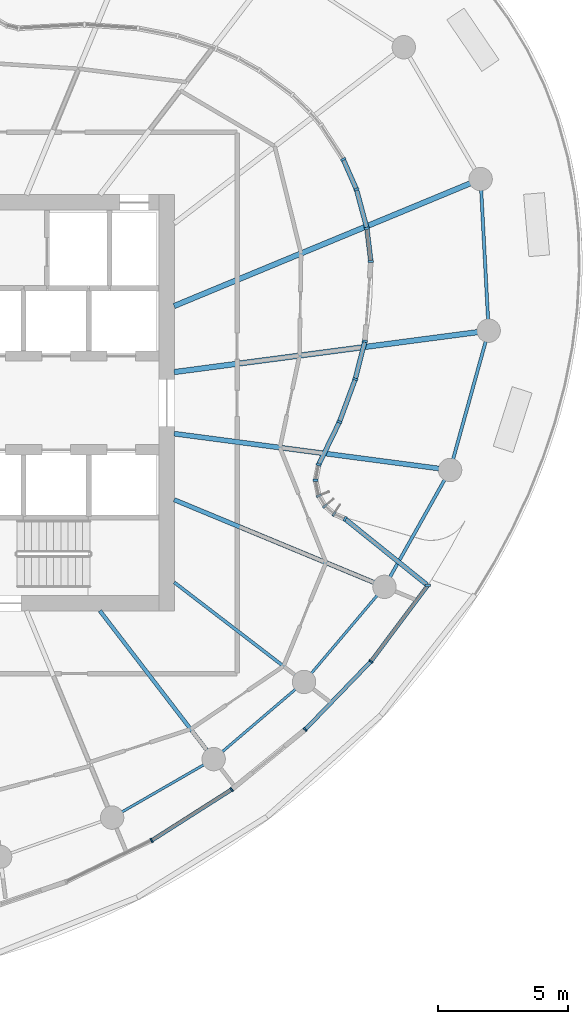
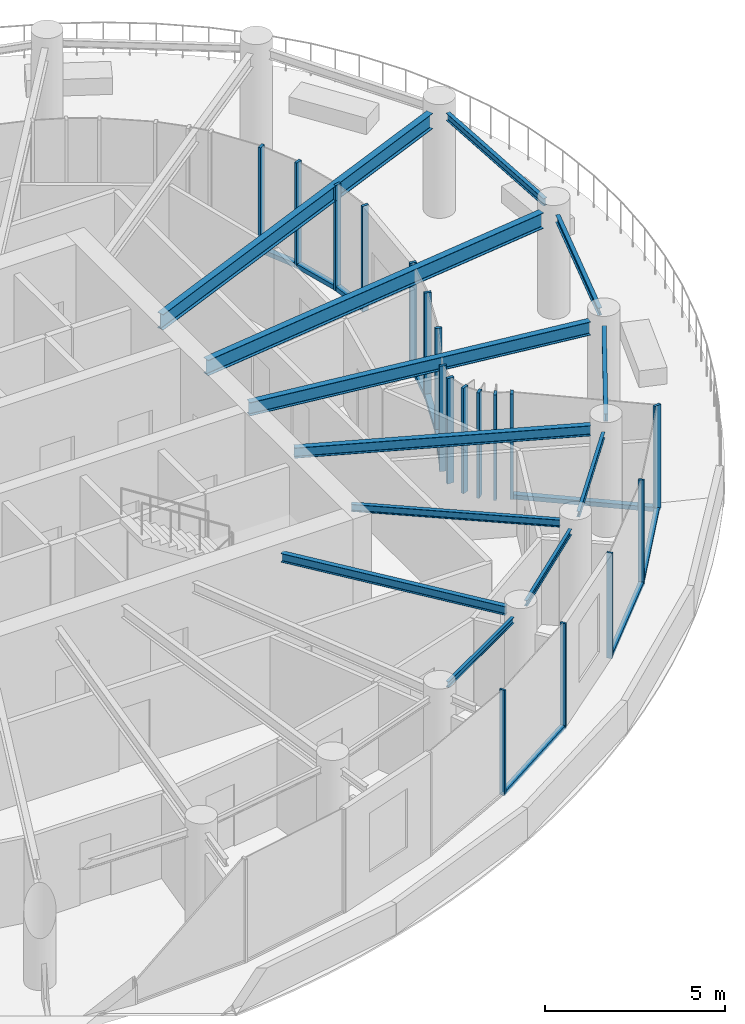
# One storey, part 4 of 19: 28 members, 12 beams, 5 elements without a shape of their own.
"""IFC4 building model written with IfcOpenShell, lengths in metres."""

from ifc_helpers import new_model, si_unit, direction, frame, origin, origin_2d, place, context, subcontext, project, spatial, rectangle, i_section, extrude, source, transform, mapped, material, layer, layer_set, material_profile, profile_set, type_object, element, aggregate, save


model = new_model("IFC4")

# Units and contexts
model_context = context("Model", 3, precision=1e-05, world=origin(), true_north=direction((0.0, 1.0)))
body_context = subcontext(model_context, "Body", "Model", "MODEL_VIEW")
ifc_project = project(units=[si_unit("LENGTHUNIT", "METRE"), si_unit("AREAUNIT", "SQUARE_METRE"), si_unit("VOLUMEUNIT", "CUBIC_METRE"), si_unit("PLANEANGLEUNIT", "RADIAN"), si_unit("MASSUNIT", "GRAM", prefix="KILO")], contexts=[model_context])

# Site, building, storey
site_placement = place(None, origin())
site = spatial("IfcSite", under=ifc_project, at=site_placement, CompositionType="ELEMENT")
building_placement = place(site_placement, origin())
building = spatial("IfcBuilding", under=site, at=building_placement, Name="Spindrift Exchange Tower", CompositionType="ELEMENT")
storey_placement = place(building_placement, frame((0.0, 0.0, 183.800048828125)))
storey = spatial("IfcBuildingStorey", under=building, at=storey_placement, Name="L44", CompositionType="ELEMENT", Elevation=183.800048828125)

# Beams
ifc_material_1 = material(Name="Steel Grade 300", Category="steel")
ifc_material_profile_1 = material_profile(ifc_material_1, i_section(OverallWidth=0.208984375, OverallDepth=0.528076171875, WebThickness=0.009521484375, FlangeThickness=0.01318359375, FilletRadius=0.013916015625, at=origin_2d()), Name="530UB82.0")
ifc_profile_set_1 = profile_set([ifc_material_profile_1], Name="Steel Grade 300")
beam_type_1 = type_object("IfcBeamType", Name="Floor Beam 530UB82.0 Steel Grade 300", PredefinedType="BEAM", material=ifc_profile_set_1)
shared_shape_1 = source(origin(), body_context, "Body", "SweptSolid", [
    extrude(i_section(OverallWidth=0.208984375, OverallDepth=0.528076171875, WebThickness=0.009521484375, FlangeThickness=0.01318359375, FilletRadius=0.013916015625, at=origin_2d()), origin(), (0.0, 0.0, 1.0), 11.75634765625),
])
beam_1_placement = place(storey_placement, frame((60.980224609375, 49.182373046875, 3.31591796875), z_axis=(0.991445811455, 0.13051897543, 0.0), x_axis=(-0.13051897543, 0.991445811455, 0.0)))
element("IfcBeam", 1, at=beam_1_placement, inside=storey, type_object=beam_type_1, Name="L44 radial beam R01A", PredefinedType="BEAM", context=body_context, shape_type="MappedRepresentation", body=[
    mapped(shared_shape_1, transform((0.0, 0.0, 0.0), scale=1.0)),
])
shared_shape_2 = source(origin(), body_context, "Body", "SweptSolid", [
    extrude(i_section(OverallWidth=0.208984375, OverallDepth=0.528076171875, WebThickness=0.009521484375, FlangeThickness=0.01318359375, FilletRadius=0.013916015625, at=origin_2d()), origin(), (0.0, 0.0, 1.0), 12.3115234375),
])
beam_2_placement = place(storey_placement, frame((60.9814453125, 51.72021484375, 3.31591796875), z_axis=(0.923878099838, 0.382686891126, 0.0), x_axis=(-0.382686891126, 0.923878099838, 0.0)))
element("IfcBeam", 2, at=beam_2_placement, inside=storey, type_object=beam_type_1, Name="L44 radial beam R02A", PredefinedType="BEAM", context=body_context, shape_type="MappedRepresentation", body=[
    mapped(shared_shape_2, transform((0.0, 0.0, 0.0), scale=1.0)),
])
ifc_material_profile_2 = material_profile(ifc_material_1, i_section(OverallWidth=0.14892578125, OverallDepth=0.298095703125, WebThickness=0.005615234375, FlangeThickness=0.008056640625, FilletRadius=0.012939453125, at=origin_2d()), Name="310UB32.0")
ifc_profile_set_2 = profile_set([ifc_material_profile_2], Name="Steel Grade 300")
beam_type_2 = type_object("IfcBeamType", Name="Floor Beam 310UB32.0 Steel Grade 300", PredefinedType="BEAM", material=ifc_profile_set_2)
shared_shape_3 = source(origin(), body_context, "Body", "SweptSolid", [
    extrude(i_section(OverallWidth=0.14892578125, OverallDepth=0.298095703125, WebThickness=0.005615234375, FlangeThickness=0.008056640625, FilletRadius=0.012939453125, at=origin_2d()), origin(), (0.0, 0.0, 1.0), 6.753173828125),
])
beam_3_placement = place(storey_placement, frame((58.12646484375, 40.015869140625, 3.430908203125), z_axis=(0.608761639459, -0.793353178807, 0.0), x_axis=(0.793353178807, 0.608761639459, 0.0)))
element("IfcBeam", 3, at=beam_3_placement, inside=storey, type_object=beam_type_2, Name="L44 radial beam R21A", PredefinedType="BEAM", context=body_context, shape_type="MappedRepresentation", body=[
    mapped(shared_shape_3, transform((0.0, 0.0, 0.0), scale=1.0)),
])
ifc_material_profile_3 = material_profile(ifc_material_1, i_section(OverallWidth=0.1240234375, OverallDepth=0.248046875, WebThickness=0.0048828125, FlangeThickness=0.008056640625, FilletRadius=0.011962890625, at=origin_2d()), Name="250UB25.7")
ifc_profile_set_3 = profile_set([ifc_material_profile_3], Name="Steel Grade 300")
beam_type_3 = type_object("IfcBeamType", Name="Floor Beam 250UB25.7 Steel Grade 300", PredefinedType="BEAM", material=ifc_profile_set_3)
shared_shape_4 = source(origin(), body_context, "Body", "SweptSolid", [
    extrude(i_section(OverallWidth=0.1240234375, OverallDepth=0.248046875, WebThickness=0.0048828125, FlangeThickness=0.008056640625, FilletRadius=0.011962890625, at=origin_2d()), origin(), (0.0, 0.0, 1.0), 5.855712890625),
])
beam_4_placement = place(storey_placement, frame((60.984130859375, 41.106201171875, 3.4560546875), z_axis=(0.793362708479, -0.608749219954, 0.0), x_axis=(0.608749219954, 0.793362708479, 0.0)))
element("IfcBeam", 4, at=beam_4_placement, inside=storey, type_object=beam_type_3, Name="L44 radial beam R22A", PredefinedType="BEAM", context=body_context, shape_type="MappedRepresentation", body=[
    mapped(shared_shape_4, transform((0.0, 0.0, 0.0), scale=1.0)),
])
ifc_material_profile_4 = material_profile(ifc_material_1, i_section(OverallWidth=0.1708984375, OverallDepth=0.35205078125, WebThickness=0.0068359375, FlangeThickness=0.009765625, FilletRadius=0.013916015625, at=origin_2d()), Name="360UB44.7")
ifc_profile_set_4 = profile_set([ifc_material_profile_4], Name="Steel Grade 300")
beam_type_4 = type_object("IfcBeamType", Name="Floor Beam 360UB44.7 Steel Grade 300", PredefinedType="BEAM", material=ifc_profile_set_4)
shared_shape_5 = source(origin(), body_context, "Body", "SweptSolid", [
    extrude(i_section(OverallWidth=0.1708984375, OverallDepth=0.35205078125, WebThickness=0.0068359375, FlangeThickness=0.009765625, FilletRadius=0.013916015625, at=origin_2d()), origin(), (0.0, 0.0, 1.0), 8.3134765625),
])
beam_5_placement = place(storey_placement, frame((60.9814453125, 44.27978515625, 3.404052734375), z_axis=(0.923881179957, -0.382679455055, 0.0), x_axis=(0.382679455055, 0.923881179957, 0.0)))
element("IfcBeam", 5, at=beam_5_placement, inside=storey, type_object=beam_type_4, Name="L44 radial beam R23A", PredefinedType="BEAM", context=body_context, shape_type="MappedRepresentation", body=[
    mapped(shared_shape_5, transform((0.0, 0.0, 0.0), scale=1.0)),
])
ifc_material_profile_5 = material_profile(ifc_material_1, i_section(OverallWidth=0.18994140625, OverallDepth=0.4541015625, WebThickness=0.008544921875, FlangeThickness=0.0126953125, FilletRadius=0.013916015625, at=origin_2d()), Name="460UB67.1")
ifc_profile_set_5 = profile_set([ifc_material_profile_5], Name="Steel Grade 300")
beam_type_5 = type_object("IfcBeamType", Name="Floor Beam 460UB67.1 Steel Grade 300", PredefinedType="BEAM", material=ifc_profile_set_5)
shared_shape_6 = source(origin(), body_context, "Body", "SweptSolid", [
    extrude(i_section(OverallWidth=0.18994140625, OverallDepth=0.4541015625, WebThickness=0.008544921875, FlangeThickness=0.0126953125, FilletRadius=0.013916015625, at=origin_2d()), origin(), (0.0, 0.0, 1.0), 10.262451171875),
])
beam_6_placement = place(storey_placement, frame((60.980224609375, 46.817626953125, 3.35302734375), z_axis=(0.991446763371, -0.130511744304, 0.0), x_axis=(0.130511744304, 0.991446763371, 0.0)))
element("IfcBeam", 6, at=beam_6_placement, inside=storey, type_object=beam_type_5, Name="L44 radial beam R24A", PredefinedType="BEAM", context=body_context, shape_type="MappedRepresentation", body=[
    mapped(shared_shape_6, transform((0.0, 0.0, 0.0), scale=1.0)),
])
ifc_material_profile_6 = material_profile(ifc_material_1, i_section(OverallWidth=0.1240234375, OverallDepth=0.248046875, WebThickness=0.0048828125, FlangeThickness=0.008056640625, FilletRadius=0.011962890625, at=origin_2d()), Name="250UB25.7")
ifc_profile_set_6 = profile_set([ifc_material_profile_6], Name="Steel Grade 300")
beam_type_6 = type_object("IfcBeamType", Name="Edge Beam 250UB25.7 Steel Grade 300", PredefinedType="SPANDREL", material=ifc_profile_set_6)
shared_shape_7 = source(origin(), body_context, "Body", "SweptSolid", [
    extrude(i_section(OverallWidth=0.1240234375, OverallDepth=0.248046875, WebThickness=0.0048828125, FlangeThickness=0.008056640625, FilletRadius=0.011962890625, at=origin_2d()), origin(), (0.0, 0.0, 1.0), 4.971435546875),
])
beam_7_placement = place(storey_placement, frame((73.03955078125, 51.202392578125, 3.4560546875), z_axis=(-0.053038255124, 0.998592481192, 0.0), x_axis=(-0.998592481192, -0.053038255124, 0.0)))
element("IfcBeam", 7, at=beam_7_placement, inside=storey, type_object=beam_type_6, Name="L44 edge beam E01", PredefinedType="SPANDREL", context=body_context, shape_type="MappedRepresentation", body=[
    mapped(shared_shape_7, transform((0.0, 0.0, 0.0), scale=1.0)),
])
ifc_material_profile_7 = material_profile(ifc_material_1, i_section(OverallWidth=0.09912109375, OverallDepth=0.197998046875, WebThickness=0.00439453125, FlangeThickness=0.007080078125, FilletRadius=0.010986328125, at=origin_2d()), Name="200UB18.2")
ifc_profile_set_7 = profile_set([ifc_material_profile_7], Name="Steel Grade 300")
beam_type_7 = type_object("IfcBeamType", Name="Edge Beam 200UB18.2 Steel Grade 300", PredefinedType="SPANDREL", material=ifc_profile_set_7)
shared_shape_8 = source(origin(), body_context, "Body", "SweptSolid", [
    extrude(i_section(OverallWidth=0.09912109375, OverallDepth=0.197998046875, WebThickness=0.00439453125, FlangeThickness=0.007080078125, FilletRadius=0.010986328125, at=origin_2d()), origin(), (0.0, 0.0, 1.0), 3.64208984375),
])
beam_8_placement = place(storey_placement, frame((58.971435546875, 32.283447265625, 3.48095703125), z_axis=(0.866364093123, 0.499412913476, 0.0), x_axis=(-0.499412913476, 0.866364093123, 0.0)))
element("IfcBeam", 8, at=beam_8_placement, inside=storey, type_object=beam_type_7, Name="L44 edge beam E20", PredefinedType="SPANDREL", context=body_context, shape_type="MappedRepresentation", body=[
    mapped(shared_shape_8, transform((0.0, 0.0, 0.0), scale=1.0)),
])
shared_shape_9 = source(origin(), body_context, "Body", "SweptSolid", [
    extrude(i_section(OverallWidth=0.09912109375, OverallDepth=0.197998046875, WebThickness=0.00439453125, FlangeThickness=0.007080078125, FilletRadius=0.010986328125, at=origin_2d()), origin(), (0.0, 0.0, 1.0), 3.703857421875),
])
beam_9_placement = place(storey_placement, frame((62.826416015625, 34.59619140625, 3.48095703125), z_axis=(0.7606692863, 0.64913961278, 0.0), x_axis=(-0.64913961278, 0.7606692863, 0.0)))
element("IfcBeam", 9, at=beam_9_placement, inside=storey, type_object=beam_type_7, Name="L44 edge beam E21", PredefinedType="SPANDREL", context=body_context, shape_type="MappedRepresentation", body=[
    mapped(shared_shape_9, transform((0.0, 0.0, 0.0), scale=1.0)),
])
shared_shape_10 = source(origin(), body_context, "Body", "SweptSolid", [
    extrude(i_section(OverallWidth=0.09912109375, OverallDepth=0.197998046875, WebThickness=0.00439453125, FlangeThickness=0.007080078125, FilletRadius=0.010986328125, at=origin_2d()), origin(), (0.0, 0.0, 1.0), 3.92431640625),
])
beam_10_placement = place(storey_placement, frame((66.24853515625, 37.608154296875, 3.48095703125), z_axis=(0.645498720032, 0.763761351757, 0.0), x_axis=(-0.763761351757, 0.645498720032, 0.0)))
element("IfcBeam", 10, at=beam_10_placement, inside=storey, type_object=beam_type_7, Name="L44 edge beam E22", PredefinedType="SPANDREL", context=body_context, shape_type="MappedRepresentation", body=[
    mapped(shared_shape_10, transform((0.0, 0.0, 0.0), scale=1.0)),
])
shared_shape_11 = source(origin(), body_context, "Body", "SweptSolid", [
    extrude(i_section(OverallWidth=0.1240234375, OverallDepth=0.248046875, WebThickness=0.0048828125, FlangeThickness=0.008056640625, FilletRadius=0.011962890625, at=origin_2d()), origin(), (0.0, 0.0, 1.0), 4.2880859375),
])
beam_11_placement = place(storey_placement, frame((69.27001953125, 41.30859375, 3.4560546875), z_axis=(0.489804347673, 0.871832381253, 0.0), x_axis=(-0.871832381253, 0.489804347673, 0.0)))
element("IfcBeam", 11, at=beam_11_placement, inside=storey, type_object=beam_type_6, Name="L44 edge beam E23", PredefinedType="SPANDREL", context=body_context, shape_type="MappedRepresentation", body=[
    mapped(shared_shape_11, transform((0.0, 0.0, 0.0), scale=1.0)),
])
shared_shape_12 = source(origin(), body_context, "Body", "SweptSolid", [
    extrude(i_section(OverallWidth=0.1240234375, OverallDepth=0.248046875, WebThickness=0.0048828125, FlangeThickness=0.008056640625, FilletRadius=0.011962890625, at=origin_2d()), origin(), (0.0, 0.0, 1.0), 4.69189453125),
])
beam_12_placement = place(storey_placement, frame((71.69580078125, 45.83642578125, 3.4560546875), z_axis=(0.266774248618, 0.963759046792, 0.0), x_axis=(-0.963759046792, 0.266774248618, 0.0)))
element("IfcBeam", 12, at=beam_12_placement, inside=storey, type_object=beam_type_6, Name="L44 edge beam E24", PredefinedType="SPANDREL", context=body_context, shape_type="MappedRepresentation", body=[
    mapped(shared_shape_12, transform((0.0, 0.0, 0.0), scale=1.0)),
])

# Curtain wall, members
ifc_material_2 = material(Name="Fritted laminated glass with bronze frame", Category="glass")
ifc_layer_1 = layer(ifc_material_2, 0.199951171875)
ifc_layer_set_1 = layer_set([ifc_layer_1], Name="SKY GARDEN BRONZE GLAZED WALL")
curtain_wall_type_1 = type_object("IfcCurtainWallType", Name="SKY GARDEN BRONZE GLAZED WALL", PredefinedType="NOTDEFINED", material=ifc_layer_set_1)
curtain_wall_1_placement = place(storey_placement, origin())
curtain_wall_1 = element("IfcCurtainWall", 13, at=curtain_wall_1_placement, inside=storey, type_object=curtain_wall_type_1, Name="L44 Sky Garden Bronze Glazed Wall run 6", PredefinedType="NOTDEFINED")
ifc_material_3 = material(Name="Bronze anodised aluminium", Category="aluminium")
ifc_material_profile_8 = material_profile(ifc_material_3, rectangle(XDim=0.0849609375, YDim=0.199951171875, at=origin_2d()), Name="SKY GARDEN BRONZE GLAZED WALL MULLION 85X200")
ifc_profile_set_8 = profile_set([ifc_material_profile_8], Name="Bronze anodised aluminium")
member_type_1 = type_object("IfcMemberType", Name="SKY GARDEN BRONZE GLAZED WALL MULLION 85X200", PredefinedType="MULLION", material=ifc_profile_set_8)
shared_shape_13 = source(origin(), body_context, "Body", "SweptSolid", [
    extrude(rectangle(XDim=0.0849609375, YDim=0.199951171875, at=origin_2d()), origin(), (0.0, 0.0, 1.0), 3.579833984375),
])
member_1_placement = place(storey_placement, frame((70.725830078125, 40.985107421875, 0.0), z_axis=(0.0, 0.0, 1.0), x_axis=(-0.124872104616, 0.992172846579, 0.0)))
member_1 = element("IfcMember", 14, at=member_1_placement, type_object=member_type_1, Name="L44 mullion CW-G.26", PredefinedType="MULLION", context=body_context, shape_type="MappedRepresentation", body=[
    mapped(shared_shape_13, transform((0.0, 0.0, 0.0), scale=1.0)),
])
member_2_placement = place(storey_placement, frame((67.54345703125, 43.544189453125, 0.0), z_axis=(0.0, 0.0, 1.0), x_axis=(-0.851708499513, 0.524015869852, 0.0)))
member_2 = element("IfcMember", 15, at=member_2_placement, type_object=member_type_1, Name="L44 mullion CW-G.27", PredefinedType="MULLION", context=body_context, shape_type="MappedRepresentation", body=[
    mapped(shared_shape_13, transform((0.0, 0.0, 0.0), scale=1.0)),
])
member_3_placement = place(storey_placement, frame((67.12255859375, 43.735107421875, 0.0), z_axis=(0.0, 0.0, 1.0), x_axis=(-0.839165752203, 0.543875758174, 0.0)))
member_3 = element("IfcMember", 16, at=member_3_placement, type_object=member_type_1, Name="L44 mullion CW-G.28", PredefinedType="MULLION", context=body_context, shape_type="MappedRepresentation", body=[
    mapped(shared_shape_13, transform((0.0, 0.0, 0.0), scale=1.0)),
])
member_4_placement = place(storey_placement, frame((66.7783203125, 44.039794921875, 0.0), z_axis=(0.0, 0.0, 1.0), x_axis=(-0.642410379616, 0.766360818519, 0.0)))
member_4 = element("IfcMember", 17, at=member_4_placement, type_object=member_type_1, Name="L44 mullion CW-G.29", PredefinedType="MULLION", context=body_context, shape_type="MappedRepresentation", body=[
    mapped(shared_shape_13, transform((0.0, 0.0, 0.0), scale=1.0)),
])
member_5_placement = place(storey_placement, frame((66.53857421875, 44.431884765625, 0.0), z_axis=(0.0, 0.0, 1.0), x_axis=(-0.367230320069, 0.930130040383, 0.0)))
member_5 = element("IfcMember", 18, at=member_5_placement, type_object=member_type_1, Name="L44 mullion CW-G.30", PredefinedType="MULLION", context=body_context, shape_type="MappedRepresentation", body=[
    mapped(shared_shape_13, transform((0.0, 0.0, 0.0), scale=1.0)),
])
member_6_placement = place(storey_placement, frame((66.416015625, 45.02587890625, 0.0), z_axis=(0.0, 0.0, 1.0), x_axis=(-0.005510300793, 0.999984818177, 0.0)))
member_6 = element("IfcMember", 19, at=member_6_placement, type_object=member_type_1, Name="L44 mullion CW-G.31", PredefinedType="MULLION", context=body_context, shape_type="MappedRepresentation", body=[
    mapped(shared_shape_13, transform((0.0, 0.0, 0.0), scale=1.0)),
])

curtain_wall_2_placement = place(storey_placement, origin())
curtain_wall_2 = element("IfcCurtainWall", 20, at=curtain_wall_2_placement, inside=storey, type_object=curtain_wall_type_1, Name="L44 Sky Garden Bronze Glazed Wall run 7", PredefinedType="NOTDEFINED")
member_7_placement = place(storey_placement, frame((66.532958984375, 45.625732421875, 0.0), z_axis=(0.0, 0.0, 1.0), x_axis=(0.316525523542, 0.948583993617, 0.0)))
member_7 = element("IfcMember", 21, at=member_7_placement, type_object=member_type_1, Name="L44 mullion CW-G.32", PredefinedType="MULLION", context=body_context, shape_type="MappedRepresentation", body=[
    mapped(shared_shape_13, transform((0.0, 0.0, 0.0), scale=1.0)),
])
member_8_placement = place(storey_placement, frame((67.330078125, 47.2685546875, 0.0), z_axis=(0.0, 0.0, 1.0), x_axis=(0.392165529932, 0.919894666325, 0.0)))
member_8 = element("IfcMember", 22, at=member_8_placement, type_object=member_type_1, Name="L44 mullion CW-G.33", PredefinedType="MULLION", context=body_context, shape_type="MappedRepresentation", body=[
    mapped(shared_shape_13, transform((0.0, 0.0, 0.0), scale=1.0)),
])
member_9_placement = place(storey_placement, frame((67.93701171875, 48.909912109375, 0.0), z_axis=(0.0, 0.0, 1.0), x_axis=(0.296835447664, 0.954928644984, 0.0)))
member_9 = element("IfcMember", 23, at=member_9_placement, type_object=member_type_1, Name="L44 mullion CW-G.34", PredefinedType="MULLION", context=body_context, shape_type="MappedRepresentation", body=[
    mapped(shared_shape_13, transform((0.0, 0.0, 0.0), scale=1.0)),
])
member_10_placement = place(storey_placement, frame((68.3076171875, 50.369140625, 0.0), z_axis=(0.0, 0.0, 1.0), x_axis=(0.160819938147, 0.986983762528, 0.0)))
member_10 = element("IfcMember", 24, at=member_10_placement, type_object=member_type_1, Name="L44 mullion CW-G.35", PredefinedType="MULLION", context=body_context, shape_type="MappedRepresentation", body=[
    mapped(shared_shape_13, transform((0.0, 0.0, 0.0), scale=1.0)),
])
member_11_placement = place(storey_placement, frame((68.535888671875, 53.43359375, 0.0), z_axis=(0.0, 0.0, 1.0), x_axis=(-0.021969174948, 0.999758648551, 0.0)))
member_11 = element("IfcMember", 25, at=member_11_placement, type_object=member_type_1, Name="L44 mullion CW-G.37", PredefinedType="MULLION", context=body_context, shape_type="MappedRepresentation", body=[
    mapped(shared_shape_13, transform((0.0, 0.0, 0.0), scale=1.0)),
])

curtain_wall_3_placement = place(storey_placement, origin())
curtain_wall_3 = element("IfcCurtainWall", 26, at=curtain_wall_3_placement, inside=storey, type_object=curtain_wall_type_1, Name="L44 Sky Garden Bronze Glazed Wall run 8", PredefinedType="NOTDEFINED")
member_12_placement = place(storey_placement, frame((68.385009765625, 54.703857421875, 0.0), z_axis=(0.0, 0.0, 1.0), x_axis=(-0.188946114791, 0.981987457, 0.0)))
member_12 = element("IfcMember", 27, at=member_12_placement, type_object=member_type_1, Name="L44 mullion CW-G.38", PredefinedType="MULLION", context=body_context, shape_type="MappedRepresentation", body=[
    mapped(shared_shape_13, transform((0.0, 0.0, 0.0), scale=1.0)),
])
member_13_placement = place(storey_placement, frame((67.983642578125, 56.201171875, 0.0), z_axis=(0.0, 0.0, 1.0), x_axis=(-0.332075288965, 0.943252883621, 0.0)))
member_13 = element("IfcMember", 28, at=member_13_placement, type_object=member_type_1, Name="L44 mullion CW-G.39", PredefinedType="MULLION", context=body_context, shape_type="MappedRepresentation", body=[
    mapped(shared_shape_13, transform((0.0, 0.0, 0.0), scale=1.0)),
])
member_14_placement = place(storey_placement, frame((67.4755859375, 57.353759765625, 0.0), z_axis=(0.0, 0.0, 1.0), x_axis=(-0.475960472711, 0.879466672715, 0.0)))
member_14 = element("IfcMember", 29, at=member_14_placement, type_object=member_type_1, Name="L44 mullion CW-G.40", PredefinedType="MULLION", context=body_context, shape_type="MappedRepresentation", body=[
    mapped(shared_shape_13, transform((0.0, 0.0, 0.0), scale=1.0)),
])

ifc_layer_2 = layer(ifc_material_2, 0.169921875)
ifc_layer_set_2 = layer_set([ifc_layer_2], Name="ZONE 4 BRONZE FRITTED WALL")
curtain_wall_type_2 = type_object("IfcCurtainWallType", Name="ZONE 4 BRONZE FRITTED WALL", PredefinedType="NOTDEFINED", material=ifc_layer_set_2)
curtain_wall_4_placement = place(storey_placement, origin())
curtain_wall_4 = element("IfcCurtainWall", 30, at=curtain_wall_4_placement, inside=storey, type_object=curtain_wall_type_2, Name="L44 Zone 4 Bronze Fritted Wall run 4", PredefinedType="NOTDEFINED")
ifc_material_profile_9 = material_profile(ifc_material_3, rectangle(XDim=0.06494140625, YDim=0.169921875, at=origin_2d()), Name="ZONE 4 BRONZE FRITTED WALL MULLION 65X170")
ifc_profile_set_9 = profile_set([ifc_material_profile_9], Name="Bronze anodised aluminium")
member_type_2 = type_object("IfcMemberType", Name="ZONE 4 BRONZE FRITTED WALL MULLION 65X170", PredefinedType="MULLION", material=ifc_profile_set_9)
shared_shape_14 = source(origin(), body_context, "Body", "SweptSolid", [
    extrude(rectangle(XDim=0.06494140625, YDim=0.169921875, at=origin_2d()), origin(), (0.0, 0.0, 1.0), 3.579833984375),
])
member_15_placement = place(storey_placement, frame((60.115966796875, 31.18994140625, 0.0), z_axis=(0.0, 0.0, 1.0), x_axis=(0.873272346324, 0.487232397472, 0.0)))
member_15 = element("IfcMember", 31, at=member_15_placement, type_object=member_type_2, Name="L44 mullion CW-4.22", PredefinedType="MULLION", context=body_context, shape_type="MappedRepresentation", body=[
    mapped(shared_shape_14, transform((0.0, 0.0, 0.0), scale=1.0)),
])
member_16_placement = place(storey_placement, frame((63.187744140625, 33.148193359375, 0.0), z_axis=(0.0, 0.0, 1.0), x_axis=(0.810536384711, 0.585688286599, 0.0)))
member_16 = element("IfcMember", 32, at=member_16_placement, type_object=member_type_2, Name="L44 mullion CW-4.23", PredefinedType="MULLION", context=body_context, shape_type="MappedRepresentation", body=[
    mapped(shared_shape_14, transform((0.0, 0.0, 0.0), scale=1.0)),
])
member_17_placement = place(storey_placement, frame((66.01123046875, 35.449951171875, 0.0), z_axis=(0.0, 0.0, 1.0), x_axis=(0.736175969521, 0.676790175682, 0.0)))
member_17 = element("IfcMember", 33, at=member_17_placement, type_object=member_type_2, Name="L44 mullion CW-4.24", PredefinedType="MULLION", context=body_context, shape_type="MappedRepresentation", body=[
    mapped(shared_shape_14, transform((0.0, 0.0, 0.0), scale=1.0)),
])

# Curtain wall, member
curtain_wall_5_placement = place(storey_placement, origin())
curtain_wall_5 = element("IfcCurtainWall", 34, at=curtain_wall_5_placement, inside=storey, type_object=curtain_wall_type_2, Name="L44 Zone 4 Bronze Fritted Wall run 5", PredefinedType="NOTDEFINED")
member_18_placement = place(storey_placement, frame((68.54150390625, 38.0703125, 0.0), z_axis=(0.0, 0.0, 1.0), x_axis=(0.648425895162, 0.761277780106, 0.0)))
member_18 = element("IfcMember", 35, at=member_18_placement, type_object=member_type_2, Name="L44 mullion CW-4.25", PredefinedType="MULLION", context=body_context, shape_type="MappedRepresentation", body=[
    mapped(shared_shape_14, transform((0.0, 0.0, 0.0), scale=1.0)),
])

# Member
ifc_material_profile_10 = material_profile(ifc_material_3, rectangle(XDim=0.14990234375, YDim=0.125, at=origin_2d()), Name="ZONE 4 BRONZE FRITTED WALL TRANSOM 150X125")
ifc_profile_set_10 = profile_set([ifc_material_profile_10], Name="Bronze anodised aluminium")
member_type_3 = type_object("IfcMemberType", Name="ZONE 4 BRONZE FRITTED WALL TRANSOM 150X125", PredefinedType="USERDEFINED", material=ifc_profile_set_10)
shared_shape_15 = source(origin(), body_context, "Body", "SweptSolid", [
    extrude(rectangle(XDim=0.14990234375, YDim=0.125, at=origin_2d()), origin(), (0.0, 0.0, 1.0), 3.57763671875),
])
member_19_placement = place(storey_placement, frame((66.03369140625, 35.473388671875, 0.0625), z_axis=(0.694682191564, 0.719316795803, 0.0), x_axis=(-0.719316795803, 0.694682191564, 0.0)))
member_19 = element("IfcMember", 36, at=member_19_placement, type_object=member_type_3, Name="L44 transom CW-4.24", ObjectType="TRANSOM", PredefinedType="USERDEFINED", context=body_context, shape_type="MappedRepresentation", body=[
    mapped(shared_shape_15, transform((0.0, 0.0, 0.0), scale=1.0)),
])

shared_shape_16 = source(origin(), body_context, "Body", "SweptSolid", [
    extrude(rectangle(XDim=0.14990234375, YDim=0.125, at=origin_2d()), origin(), (0.0, 0.0, 1.0), 3.577880859375),
])
member_20_placement = place(storey_placement, frame((60.143310546875, 31.20751953125, 0.0625), z_axis=(0.843265085685, 0.537497902568, 0.0), x_axis=(-0.537497902568, 0.843265085685, 0.0)))
member_20 = element("IfcMember", 37, at=member_20_placement, type_object=member_type_3, Name="L44 transom CW-4.22", ObjectType="TRANSOM", PredefinedType="USERDEFINED", context=body_context, shape_type="MappedRepresentation", body=[
    mapped(shared_shape_16, transform((0.0, 0.0, 0.0), scale=1.0)),
])

aggregate(curtain_wall_4, [member_15, member_20, member_16, member_17, member_19])

shared_shape_17 = source(origin(), body_context, "Body", "SweptSolid", [
    extrude(rectangle(XDim=0.14990234375, YDim=0.125, at=origin_2d()), origin(), (0.0, 0.0, 1.0), 3.577392578125),
])
member_21_placement = place(storey_placement, frame((68.56103515625, 38.09619140625, 0.0625), z_axis=(0.599672371757, 0.80024561639, 0.0), x_axis=(-0.80024561639, 0.599672371757, 0.0)))
member_21 = element("IfcMember", 38, at=member_21_placement, type_object=member_type_3, Name="L44 transom CW-4.25", ObjectType="TRANSOM", PredefinedType="USERDEFINED", context=body_context, shape_type="MappedRepresentation", body=[
    mapped(shared_shape_17, transform((0.0, 0.0, 0.0), scale=1.0)),
])

aggregate(curtain_wall_5, [member_18, member_21])

ifc_material_profile_11 = material_profile(ifc_material_3, rectangle(XDim=0.179931640625, YDim=0.14990234375, at=origin_2d()), Name="SKY GARDEN BRONZE GLAZED WALL TRANSOM 180X150")
ifc_profile_set_11 = profile_set([ifc_material_profile_11], Name="Bronze anodised aluminium")
member_type_4 = type_object("IfcMemberType", Name="SKY GARDEN BRONZE GLAZED WALL TRANSOM 180X150", PredefinedType="USERDEFINED", material=ifc_profile_set_11)
shared_shape_18 = source(origin(), body_context, "Body", "SweptSolid", [
    extrude(rectangle(XDim=0.179931640625, YDim=0.14990234375, at=origin_2d()), origin(), (0.0, 0.0, 1.0), 3.99853515625),
])
member_22_placement = place(storey_placement, frame((70.692626953125, 41.01171875, 0.074951171875), z_axis=(-0.779269843806, 0.626688527527, 0.0), x_axis=(-0.626688527527, -0.779269843806, 0.0)))
member_22 = element("IfcMember", 39, at=member_22_placement, type_object=member_type_4, Name="L44 transom CW-G.26", ObjectType="TRANSOM", PredefinedType="USERDEFINED", context=body_context, shape_type="MappedRepresentation", body=[
    mapped(shared_shape_18, transform((0.0, 0.0, 0.0), scale=1.0)),
])

aggregate(curtain_wall_1, [member_1, member_22, member_2, member_3, member_4, member_5, member_6])

shared_shape_19 = source(origin(), body_context, "Body", "SweptSolid", [
    extrude(rectangle(XDim=0.179931640625, YDim=0.14990234375, at=origin_2d()), origin(), (0.0, 0.0, 1.0), 1.74072265625),
])
member_23_placement = place(storey_placement, frame((66.551513671875, 45.6640625, 0.074951171875), z_axis=(0.436579724205, 0.899665573651, 0.0), x_axis=(-0.899665573651, 0.436579724205, 0.0)))
member_23 = element("IfcMember", 40, at=member_23_placement, type_object=member_type_4, Name="L44 transom CW-G.32", ObjectType="TRANSOM", PredefinedType="USERDEFINED", context=body_context, shape_type="MappedRepresentation", body=[
    mapped(shared_shape_19, transform((0.0, 0.0, 0.0), scale=1.0)),
])

shared_shape_20 = source(origin(), body_context, "Body", "SweptSolid", [
    extrude(rectangle(XDim=0.179931640625, YDim=0.14990234375, at=origin_2d()), origin(), (0.0, 0.0, 1.0), 1.6650390625),
])
member_24_placement = place(storey_placement, frame((67.344970703125, 47.308349609375, 0.074951171875), z_axis=(0.346765120535, 0.937951998335, 0.0), x_axis=(-0.937951998335, 0.346765120535, 0.0)))
member_24 = element("IfcMember", 41, at=member_24_placement, type_object=member_type_4, Name="L44 transom CW-G.33", ObjectType="TRANSOM", PredefinedType="USERDEFINED", context=body_context, shape_type="MappedRepresentation", body=[
    mapped(shared_shape_20, transform((0.0, 0.0, 0.0), scale=1.0)),
])

shared_shape_21 = source(origin(), body_context, "Body", "SweptSolid", [
    extrude(rectangle(XDim=0.179931640625, YDim=0.14990234375, at=origin_2d()), origin(), (0.0, 0.0, 1.0), 1.42041015625),
])
member_25_placement = place(storey_placement, frame((67.947509765625, 48.951171875, 0.074951171875), z_axis=(0.246133342445, 0.969235976291, 0.0), x_axis=(-0.969235976291, 0.246133342445, 0.0)))
member_25 = element("IfcMember", 42, at=member_25_placement, type_object=member_type_4, Name="L44 transom CW-G.34", ObjectType="TRANSOM", PredefinedType="USERDEFINED", context=body_context, shape_type="MappedRepresentation", body=[
    mapped(shared_shape_21, transform((0.0, 0.0, 0.0), scale=1.0)),
])

shared_shape_22 = source(origin(), body_context, "Body", "SweptSolid", [
    extrude(rectangle(XDim=0.179931640625, YDim=0.14990234375, at=origin_2d()), origin(), (0.0, 0.0, 1.0), 1.194091796875),
])
member_26_placement = place(storey_placement, frame((68.53076171875, 53.475830078125, 0.074951171875), z_axis=(-0.117968093824, 0.99301738597, 0.0), x_axis=(-0.99301738597, -0.117968093824, 0.0)))
member_26 = element("IfcMember", 43, at=member_26_placement, type_object=member_type_4, Name="L44 transom CW-G.37", ObjectType="TRANSOM", PredefinedType="USERDEFINED", context=body_context, shape_type="MappedRepresentation", body=[
    mapped(shared_shape_22, transform((0.0, 0.0, 0.0), scale=1.0)),
])

aggregate(curtain_wall_2, [member_7, member_23, member_8, member_24, member_9, member_25, member_10, member_11, member_26])

shared_shape_23 = source(origin(), body_context, "Body", "SweptSolid", [
    extrude(rectangle(XDim=0.179931640625, YDim=0.14990234375, at=origin_2d()), origin(), (0.0, 0.0, 1.0), 1.465087890625),
])
member_27_placement = place(storey_placement, frame((68.373779296875, 54.744873046875, 0.074951171875), z_axis=(-0.258772176881, 0.965938383373, 0.0), x_axis=(-0.965938383373, -0.258772176881, 0.0)))
member_27 = element("IfcMember", 44, at=member_27_placement, type_object=member_type_4, Name="L44 transom CW-G.38", ObjectType="TRANSOM", PredefinedType="USERDEFINED", context=body_context, shape_type="MappedRepresentation", body=[
    mapped(shared_shape_23, transform((0.0, 0.0, 0.0), scale=1.0)),
])

shared_shape_24 = source(origin(), body_context, "Body", "SweptSolid", [
    extrude(rectangle(XDim=0.179931640625, YDim=0.14990234375, at=origin_2d()), origin(), (0.0, 0.0, 1.0), 1.174560546875),
])
member_28_placement = place(storey_placement, frame((67.966552734375, 56.239990234375, 0.074951171875), z_axis=(-0.403455969243, 0.914999060591, 0.0), x_axis=(-0.914999060591, -0.403455969243, 0.0)))
member_28 = element("IfcMember", 45, at=member_28_placement, type_object=member_type_4, Name="L44 transom CW-G.39", ObjectType="TRANSOM", PredefinedType="USERDEFINED", context=body_context, shape_type="MappedRepresentation", body=[
    mapped(shared_shape_24, transform((0.0, 0.0, 0.0), scale=1.0)),
])

aggregate(curtain_wall_3, [member_12, member_27, member_13, member_28, member_14])

save(model, "model.ifc")
